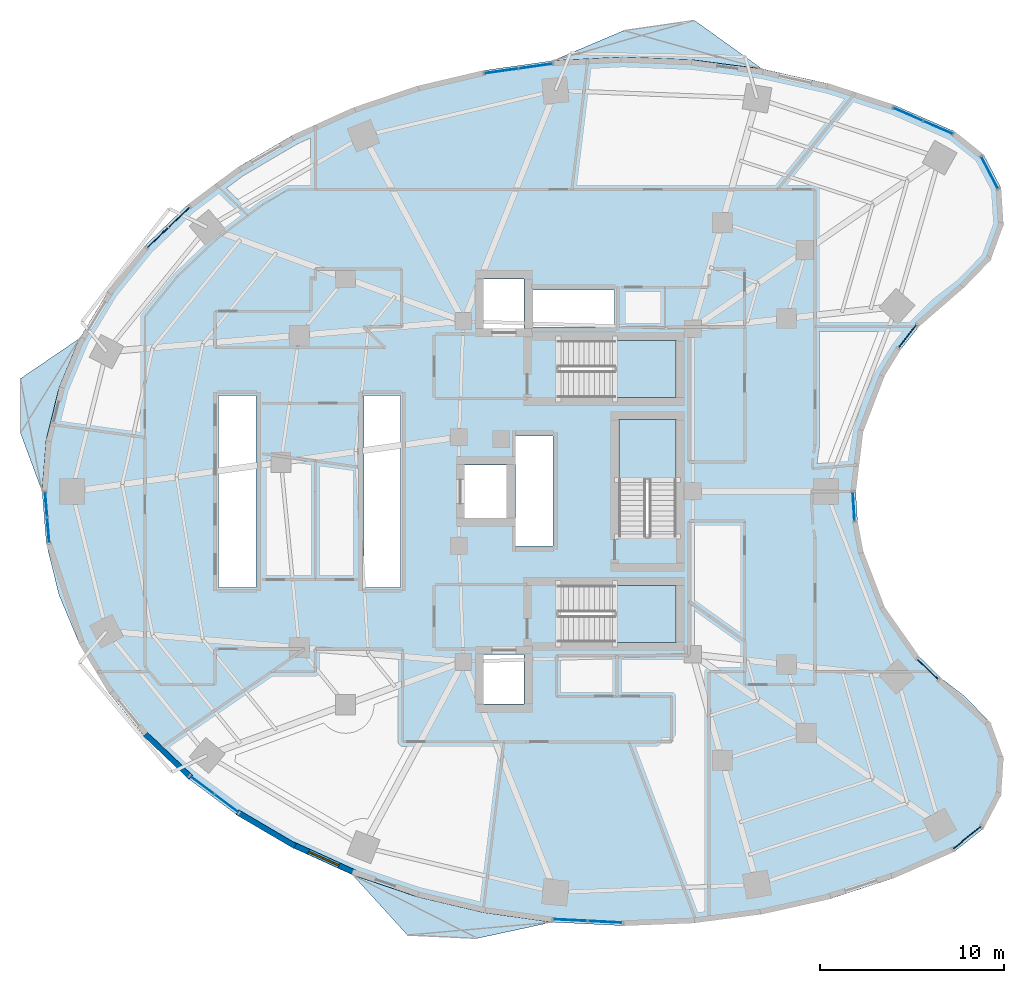
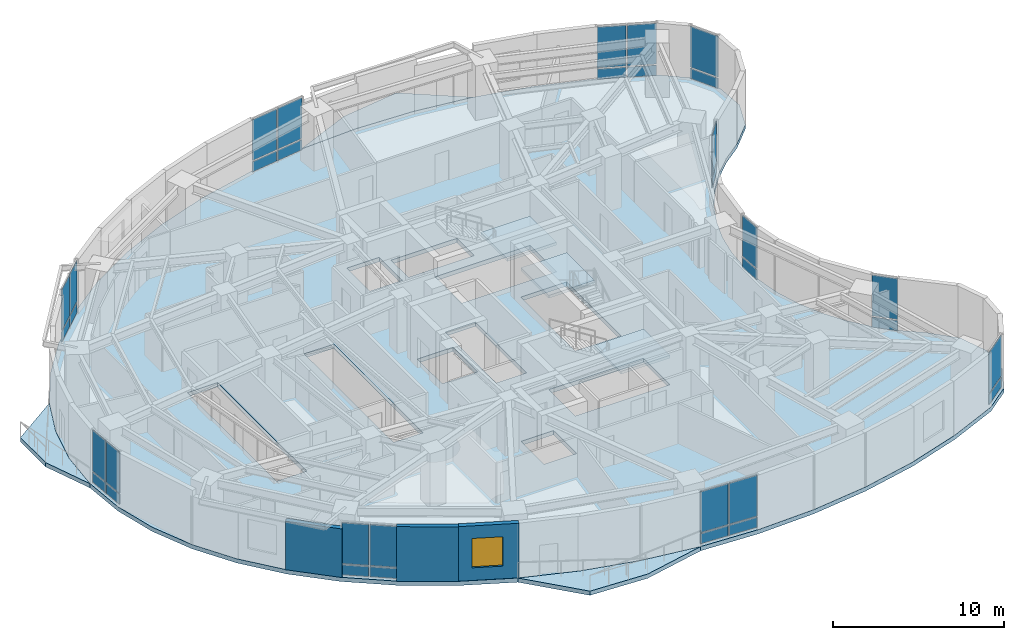
# One storey, part 7 of 16: 34 plates, 7 slabs, 3 walls, 1 window, 1 opening, 14 elements without a shape of their own.
"""IFC4 building model written with IfcOpenShell, lengths in metres."""

from ifc_helpers import new_model, si_unit, direction, frame, frame_2d, origin, origin_2d, place, context, subcontext, project, spatial, polyline, rectangle, outline, extrude, material, layer, layer_set, type_object, element, fill, aggregate, save


model = new_model("IFC4")

# Units and contexts
model_context = context("Model", 3, precision=1e-05, world=origin(), true_north=direction((0.0, 1.0)))
body_context = subcontext(model_context, "Body", "Model", "MODEL_VIEW")
ifc_project = project(units=[si_unit("LENGTHUNIT", "METRE"), si_unit("AREAUNIT", "SQUARE_METRE"), si_unit("VOLUMEUNIT", "CUBIC_METRE"), si_unit("PLANEANGLEUNIT", "RADIAN"), si_unit("MASSUNIT", "GRAM", prefix="KILO")], contexts=[model_context])

# Site, building, storey
site_placement = place(None, origin())
site = spatial("IfcSite", under=ifc_project, at=site_placement, CompositionType="ELEMENT")
building_placement = place(site_placement, origin())
building = spatial("IfcBuilding", under=site, at=building_placement, Name="Korentha Bioscience Tower", CompositionType="ELEMENT")
storey_placement = place(building_placement, frame((0.0, 0.0, 59.39990234375)))
storey = spatial("IfcBuildingStorey", under=building, at=storey_placement, Name="L13", CompositionType="ELEMENT", Elevation=59.39990234375)

# Curtain wall, plates
ifc_material_1 = material(Name="Thermally Broken Aluminium Frame", Category="aluminium")
ifc_layer_1 = layer(ifc_material_1, 0.219970703125, Name="Thermally Broken Aluminium Frame")
ifc_layer_set_1 = layer_set([ifc_layer_1], Name="Thermally Broken Aluminium Frame (CW-T1)")
curtain_wall_type = type_object("IfcCurtainWallType", Name="Standard Bioscience Lab Unitised Curtain Wall CW-T1", PredefinedType="USERDEFINED", material=ifc_layer_set_1)
curtain_wall_1_placement = place(storey_placement, origin())
curtain_wall_1 = element("IfcCurtainWall", 1, at=curtain_wall_1_placement, inside=storey, type_object=curtain_wall_type, Name="L13 Curtain Wall 01", ObjectType="UNITISED", PredefinedType="USERDEFINED")
ifc_material_2 = material(Name="Triple-Glazed Low-E Insulated Glass", Category="glass")
ifc_layer_2 = layer(ifc_material_2, 0.0439453125, Name="Triple-Glazed Low-E Insulated Glass")
ifc_layer_set_2 = layer_set([ifc_layer_2], Name="Triple-Glazed Low-E Insulated Glass (GL-44)")
plate_type = type_object("IfcPlateType", Name="Glazed Panel 44mm", PredefinedType="CURTAIN_PANEL", material=ifc_layer_set_2)
plate_1_placement = place(storey_placement, frame((50.893310546875, 46.780029296875, 0.08984375), z_axis=(0.0, 0.0, 1.0), x_axis=(-0.91593909057, 0.401317308828, 0.0)))
plate_1 = element("IfcPlate", 2, at=plate_1_placement, type_object=plate_type, Name="CW-L13-01 Bay 1 Glazed Panel 1", PredefinedType="CURTAIN_PANEL", context=body_context, shape_type="SweptSolid", body=[
    extrude(rectangle(XDim=1.701171875, YDim=0.0439453125, at=origin_2d()), origin(), (0.0, 0.0, 1.0), 0.715087890625),
])
plate_2_placement = place(storey_placement, frame((50.893310546875, 46.780029296875, 0.89501953125), z_axis=(0.0, 0.0, 1.0), x_axis=(-0.91593909057, 0.401317308828, 0.0)))
plate_2 = element("IfcPlate", 3, at=plate_2_placement, type_object=plate_type, Name="CW-L13-01 Bay 1 Glazed Panel 2", PredefinedType="CURTAIN_PANEL", context=body_context, shape_type="SweptSolid", body=[
    extrude(rectangle(XDim=1.701171875, YDim=0.0439453125, at=origin_2d()), origin(), (0.0, 0.0, 1.0), 2.9150390625),
])
plate_3_placement = place(storey_placement, frame((49.25244140625, 47.498779296875, 0.08984375), z_axis=(0.0, 0.0, 1.0), x_axis=(-0.91593909057, 0.401317308828, 0.0)))
plate_3 = element("IfcPlate", 4, at=plate_3_placement, type_object=plate_type, Name="CW-L13-01 Bay 2 Glazed Panel 1", PredefinedType="CURTAIN_PANEL", context=body_context, shape_type="SweptSolid", body=[
    extrude(rectangle(XDim=1.701171875, YDim=0.0439453125, at=origin_2d()), origin(), (0.0, 0.0, 1.0), 0.715087890625),
])
plate_4_placement = place(storey_placement, frame((49.25244140625, 47.498779296875, 0.89501953125), z_axis=(0.0, 0.0, 1.0), x_axis=(-0.91593909057, 0.401317308828, 0.0)))
plate_4 = element("IfcPlate", 5, at=plate_4_placement, type_object=plate_type, Name="CW-L13-01 Bay 2 Glazed Panel 2", PredefinedType="CURTAIN_PANEL", context=body_context, shape_type="SweptSolid", body=[
    extrude(rectangle(XDim=1.701171875, YDim=0.0439453125, at=origin_2d()), origin(), (0.0, 0.0, 1.0), 2.9150390625),
])
aggregate(curtain_wall_1, [plate_1, plate_2, plate_3, plate_4])

curtain_wall_2_placement = place(storey_placement, origin())
curtain_wall_2 = element("IfcCurtainWall", 6, at=curtain_wall_2_placement, inside=storey, type_object=curtain_wall_type, Name="L13 Curtain Wall 07", ObjectType="UNITISED", PredefinedType="USERDEFINED")
plate_5_placement = place(storey_placement, frame((29.0224609375, 50.11572265625, 0.08984375), z_axis=(0.0, 0.0, 1.0), x_axis=(-0.990167372968, -0.139887717511, 0.0)))
plate_5 = element("IfcPlate", 7, at=plate_5_placement, type_object=plate_type, Name="CW-L13-07 Bay 1 Glazed Panel 1", PredefinedType="CURTAIN_PANEL", context=body_context, shape_type="SweptSolid", body=[
    extrude(rectangle(XDim=1.800537109375, YDim=0.0439453125, at=origin_2d()), origin(), (0.0, 0.0, 1.0), 0.715087890625),
])
plate_6_placement = place(storey_placement, frame((29.0224609375, 50.11572265625, 0.89501953125), z_axis=(0.0, 0.0, 1.0), x_axis=(-0.990167372968, -0.139887717511, 0.0)))
plate_6 = element("IfcPlate", 8, at=plate_6_placement, type_object=plate_type, Name="CW-L13-07 Bay 1 Glazed Panel 2", PredefinedType="CURTAIN_PANEL", context=body_context, shape_type="SweptSolid", body=[
    extrude(rectangle(XDim=1.800537109375, YDim=0.0439453125, at=origin_2d()), origin(), (0.0, 0.0, 1.0), 2.9150390625),
])
plate_7_placement = place(storey_placement, frame((27.150634765625, 49.851318359375, 0.08984375), z_axis=(0.0, 0.0, 1.0), x_axis=(-0.990167372968, -0.139887717511, 0.0)))
plate_7 = element("IfcPlate", 9, at=plate_7_placement, type_object=plate_type, Name="CW-L13-07 Bay 2 Glazed Panel 1", PredefinedType="CURTAIN_PANEL", context=body_context, shape_type="SweptSolid", body=[
    extrude(rectangle(XDim=1.800537109375, YDim=0.0439453125, at=origin_2d()), origin(), (0.0, 0.0, 1.0), 0.715087890625),
])
plate_8_placement = place(storey_placement, frame((27.150634765625, 49.851318359375, 0.89501953125), z_axis=(0.0, 0.0, 1.0), x_axis=(-0.990167372968, -0.139887717511, 0.0)))
plate_8 = element("IfcPlate", 10, at=plate_8_placement, type_object=plate_type, Name="CW-L13-07 Bay 2 Glazed Panel 2", PredefinedType="CURTAIN_PANEL", context=body_context, shape_type="SweptSolid", body=[
    extrude(rectangle(XDim=1.800537109375, YDim=0.0439453125, at=origin_2d()), origin(), (0.0, 0.0, 1.0), 2.9150390625),
])
aggregate(curtain_wall_2, [plate_5, plate_6, plate_7, plate_8])

curtain_wall_3_placement = place(storey_placement, origin())
curtain_wall_3 = element("IfcCurtainWall", 11, at=curtain_wall_3_placement, inside=storey, type_object=curtain_wall_type, Name="L13 Curtain Wall 13", ObjectType="UNITISED", PredefinedType="USERDEFINED")
plate_9_placement = place(storey_placement, frame((9.643798828125, 41.9091796875, 0.08984375), z_axis=(0.0, 0.0, 1.0), x_axis=(-0.723641761581, -0.690175775361, 0.0)))
plate_9 = element("IfcPlate", 12, at=plate_9_placement, type_object=plate_type, Name="CW-L13-13 Bay 1 Glazed Panel 1", PredefinedType="CURTAIN_PANEL", context=body_context, shape_type="SweptSolid", body=[
    extrude(rectangle(XDim=1.5263671875, YDim=0.0439453125, at=origin_2d()), origin(), (0.0, 0.0, 1.0), 0.715087890625),
])
plate_10_placement = place(storey_placement, frame((9.643798828125, 41.9091796875, 0.89501953125), z_axis=(0.0, 0.0, 1.0), x_axis=(-0.723641761581, -0.690175775361, 0.0)))
plate_10 = element("IfcPlate", 13, at=plate_10_placement, type_object=plate_type, Name="CW-L13-13 Bay 1 Glazed Panel 2", PredefinedType="CURTAIN_PANEL", context=body_context, shape_type="SweptSolid", body=[
    extrude(rectangle(XDim=1.5263671875, YDim=0.0439453125, at=origin_2d()), origin(), (0.0, 0.0, 1.0), 2.9150390625),
])
plate_11_placement = place(storey_placement, frame((8.47412109375, 40.793701171875, 0.08984375), z_axis=(0.0, 0.0, 1.0), x_axis=(-0.723641761581, -0.690175775361, 0.0)))
plate_11 = element("IfcPlate", 14, at=plate_11_placement, type_object=plate_type, Name="CW-L13-13 Bay 2 Glazed Panel 1", PredefinedType="CURTAIN_PANEL", context=body_context, shape_type="SweptSolid", body=[
    extrude(rectangle(XDim=1.5263671875, YDim=0.0439453125, at=origin_2d()), origin(), (0.0, 0.0, 1.0), 0.715087890625),
])
plate_12_placement = place(storey_placement, frame((8.47412109375, 40.793701171875, 0.89501953125), z_axis=(0.0, 0.0, 1.0), x_axis=(-0.723641761581, -0.690175775361, 0.0)))
plate_12 = element("IfcPlate", 15, at=plate_12_placement, type_object=plate_type, Name="CW-L13-13 Bay 2 Glazed Panel 2", PredefinedType="CURTAIN_PANEL", context=body_context, shape_type="SweptSolid", body=[
    extrude(rectangle(XDim=1.5263671875, YDim=0.0439453125, at=origin_2d()), origin(), (0.0, 0.0, 1.0), 2.9150390625),
])
aggregate(curtain_wall_3, [plate_9, plate_10, plate_11, plate_12])

curtain_wall_4_placement = place(storey_placement, origin())
curtain_wall_4 = element("IfcCurtainWall", 16, at=curtain_wall_4_placement, inside=storey, type_object=curtain_wall_type, Name="L13 Curtain Wall 19", ObjectType="UNITISED", PredefinedType="USERDEFINED")
plate_13_placement = place(storey_placement, frame((2.4169921875, 26.302734375, 0.08984375), z_axis=(0.0, 0.0, 1.0), x_axis=(0.080820466375, -0.996728675325, 0.0)))
plate_13 = element("IfcPlate", 17, at=plate_13_placement, type_object=plate_type, Name="CW-L13-19 Bay 1 Glazed Panel 1", PredefinedType="CURTAIN_PANEL", context=body_context, shape_type="SweptSolid", body=[
    extrude(rectangle(XDim=1.324951171875, YDim=0.0439453125, at=origin_2d()), origin(), (0.0, 0.0, 1.0), 0.715087890625),
])
plate_14_placement = place(storey_placement, frame((2.4169921875, 26.302734375, 0.89501953125), z_axis=(0.0, 0.0, 1.0), x_axis=(0.080820466375, -0.996728675325, 0.0)))
plate_14 = element("IfcPlate", 18, at=plate_14_placement, type_object=plate_type, Name="CW-L13-19 Bay 1 Glazed Panel 2", PredefinedType="CURTAIN_PANEL", context=body_context, shape_type="SweptSolid", body=[
    extrude(rectangle(XDim=1.324951171875, YDim=0.0439453125, at=origin_2d()), origin(), (0.0, 0.0, 1.0), 2.9150390625),
])
plate_15_placement = place(storey_placement, frame((2.531494140625, 24.892333984375, 0.08984375), z_axis=(0.0, 0.0, 1.0), x_axis=(0.080820466375, -0.996728675325, 0.0)))
plate_15 = element("IfcPlate", 19, at=plate_15_placement, type_object=plate_type, Name="CW-L13-19 Bay 2 Glazed Panel 1", PredefinedType="CURTAIN_PANEL", context=body_context, shape_type="SweptSolid", body=[
    extrude(rectangle(XDim=1.324951171875, YDim=0.0439453125, at=origin_2d()), origin(), (0.0, 0.0, 1.0), 0.715087890625),
])
plate_16_placement = place(storey_placement, frame((2.531494140625, 24.892333984375, 0.89501953125), z_axis=(0.0, 0.0, 1.0), x_axis=(0.080820466375, -0.996728675325, 0.0)))
plate_16 = element("IfcPlate", 20, at=plate_16_placement, type_object=plate_type, Name="CW-L13-19 Bay 2 Glazed Panel 2", PredefinedType="CURTAIN_PANEL", context=body_context, shape_type="SweptSolid", body=[
    extrude(rectangle(XDim=1.324951171875, YDim=0.0439453125, at=origin_2d()), origin(), (0.0, 0.0, 1.0), 2.9150390625),
])
aggregate(curtain_wall_4, [plate_13, plate_14, plate_15, plate_16])

curtain_wall_5_placement = place(storey_placement, origin())
curtain_wall_5 = element("IfcCurtainWall", 21, at=curtain_wall_5_placement, inside=storey, type_object=curtain_wall_type, Name="L13 Curtain Wall 25", ObjectType="UNITISED", PredefinedType="USERDEFINED")
plate_17_placement = place(storey_placement, frame((10.892578125, 11.037109375, 0.08984375), z_axis=(0.0, 0.0, 1.0), x_axis=(0.800797909614, -0.598934644145, 0.0)))
plate_17 = element("IfcPlate", 22, at=plate_17_placement, type_object=plate_type, Name="CW-L13-25 Bay 1 Glazed Panel 1", PredefinedType="CURTAIN_PANEL", context=body_context, shape_type="SweptSolid", body=[
    extrude(rectangle(XDim=1.58544921875, YDim=0.0439453125, at=origin_2d()), origin(), (0.0, 0.0, 1.0), 0.715087890625),
])
plate_18_placement = place(storey_placement, frame((10.892578125, 11.037109375, 0.89501953125), z_axis=(0.0, 0.0, 1.0), x_axis=(0.800797909614, -0.598934644145, 0.0)))
plate_18 = element("IfcPlate", 23, at=plate_18_placement, type_object=plate_type, Name="CW-L13-25 Bay 1 Glazed Panel 2", PredefinedType="CURTAIN_PANEL", context=body_context, shape_type="SweptSolid", body=[
    extrude(rectangle(XDim=1.58544921875, YDim=0.0439453125, at=origin_2d()), origin(), (0.0, 0.0, 1.0), 2.9150390625),
])
plate_19_placement = place(storey_placement, frame((12.234375, 10.033447265625, 0.08984375), z_axis=(0.0, 0.0, 1.0), x_axis=(0.800797909614, -0.598934644145, 0.0)))
plate_19 = element("IfcPlate", 24, at=plate_19_placement, type_object=plate_type, Name="CW-L13-25 Bay 2 Glazed Panel 1", PredefinedType="CURTAIN_PANEL", context=body_context, shape_type="SweptSolid", body=[
    extrude(rectangle(XDim=1.58544921875, YDim=0.0439453125, at=origin_2d()), origin(), (0.0, 0.0, 1.0), 0.715087890625),
])
plate_20_placement = place(storey_placement, frame((12.234375, 10.033447265625, 0.89501953125), z_axis=(0.0, 0.0, 1.0), x_axis=(0.800797909614, -0.598934644145, 0.0)))
plate_20 = element("IfcPlate", 25, at=plate_20_placement, type_object=plate_type, Name="CW-L13-25 Bay 2 Glazed Panel 2", PredefinedType="CURTAIN_PANEL", context=body_context, shape_type="SweptSolid", body=[
    extrude(rectangle(XDim=1.58544921875, YDim=0.0439453125, at=origin_2d()), origin(), (0.0, 0.0, 1.0), 2.9150390625),
])
aggregate(curtain_wall_5, [plate_17, plate_18, plate_19, plate_20])

curtain_wall_6_placement = place(storey_placement, origin())
curtain_wall_6 = element("IfcCurtainWall", 26, at=curtain_wall_6_placement, inside=storey, type_object=curtain_wall_type, Name="L13 Curtain Wall 31", ObjectType="UNITISED", PredefinedType="USERDEFINED")
plate_21_placement = place(storey_placement, frame((30.90478515625, 3.70458984375, 0.08984375), z_axis=(0.0, 0.0, 1.0), x_axis=(0.998730551641, -0.050371472279, 0.0)))
plate_21 = element("IfcPlate", 27, at=plate_21_placement, type_object=plate_type, Name="CW-L13-31 Bay 1 Glazed Panel 1", PredefinedType="CURTAIN_PANEL", context=body_context, shape_type="SweptSolid", body=[
    extrude(rectangle(XDim=1.8134765625, YDim=0.0439453125, at=origin_2d()), origin(), (0.0, 0.0, 1.0), 0.715087890625),
])
plate_22_placement = place(storey_placement, frame((30.90478515625, 3.70458984375, 0.89501953125), z_axis=(0.0, 0.0, 1.0), x_axis=(0.998730551641, -0.050371472279, 0.0)))
plate_22 = element("IfcPlate", 28, at=plate_22_placement, type_object=plate_type, Name="CW-L13-31 Bay 1 Glazed Panel 2", PredefinedType="CURTAIN_PANEL", context=body_context, shape_type="SweptSolid", body=[
    extrude(rectangle(XDim=1.8134765625, YDim=0.0439453125, at=origin_2d()), origin(), (0.0, 0.0, 1.0), 2.9150390625),
])
plate_23_placement = place(storey_placement, frame((32.805908203125, 3.608642578125, 0.08984375), z_axis=(0.0, 0.0, 1.0), x_axis=(0.998730551641, -0.050371472279, 0.0)))
plate_23 = element("IfcPlate", 29, at=plate_23_placement, type_object=plate_type, Name="CW-L13-31 Bay 2 Glazed Panel 1", PredefinedType="CURTAIN_PANEL", context=body_context, shape_type="SweptSolid", body=[
    extrude(rectangle(XDim=1.8134765625, YDim=0.0439453125, at=origin_2d()), origin(), (0.0, 0.0, 1.0), 0.715087890625),
])
plate_24_placement = place(storey_placement, frame((32.805908203125, 3.608642578125, 0.89501953125), z_axis=(0.0, 0.0, 1.0), x_axis=(0.998730551641, -0.050371472279, 0.0)))
plate_24 = element("IfcPlate", 30, at=plate_24_placement, type_object=plate_type, Name="CW-L13-31 Bay 2 Glazed Panel 2", PredefinedType="CURTAIN_PANEL", context=body_context, shape_type="SweptSolid", body=[
    extrude(rectangle(XDim=1.8134765625, YDim=0.0439453125, at=origin_2d()), origin(), (0.0, 0.0, 1.0), 2.9150390625),
])
aggregate(curtain_wall_6, [plate_21, plate_22, plate_23, plate_24])

curtain_wall_7_placement = place(storey_placement, origin())
curtain_wall_7 = element("IfcCurtainWall", 31, at=curtain_wall_7_placement, inside=storey, type_object=curtain_wall_type, Name="L13 Curtain Wall 37", ObjectType="UNITISED", PredefinedType="USERDEFINED")
plate_25_placement = place(storey_placement, frame((52.4755859375, 8.19140625, 0.08984375), z_axis=(0.0, 0.0, 1.0), x_axis=(0.782287851332, 0.62291710336, 0.0)))
plate_25 = element("IfcPlate", 32, at=plate_25_placement, type_object=plate_type, Name="CW-L13-37 Bay 1 Glazed Panel 1", PredefinedType="CURTAIN_PANEL", context=body_context, shape_type="SweptSolid", body=[
    extrude(rectangle(XDim=1.927734375, YDim=0.0439453125, at=origin_2d()), origin(), (0.0, 0.0, 1.0), 0.715087890625),
])
plate_26_placement = place(storey_placement, frame((52.4755859375, 8.19140625, 0.89501953125), z_axis=(0.0, 0.0, 1.0), x_axis=(0.782287851332, 0.62291710336, 0.0)))
plate_26 = element("IfcPlate", 33, at=plate_26_placement, type_object=plate_type, Name="CW-L13-37 Bay 1 Glazed Panel 2", PredefinedType="CURTAIN_PANEL", context=body_context, shape_type="SweptSolid", body=[
    extrude(rectangle(XDim=1.927734375, YDim=0.0439453125, at=origin_2d()), origin(), (0.0, 0.0, 1.0), 2.9150390625),
])
aggregate(curtain_wall_7, [plate_25, plate_26])

curtain_wall_8_placement = place(storey_placement, origin())
curtain_wall_8 = element("IfcCurtainWall", 34, at=curtain_wall_8_placement, inside=storey, type_object=curtain_wall_type, Name="L13 Curtain Wall 43", ObjectType="UNITISED", PredefinedType="USERDEFINED")
plate_27_placement = place(storey_placement, frame((50.333251953125, 17.335693359375, 0.08984375), z_axis=(0.0, 0.0, 1.0), x_axis=(-0.713279246754, 0.700879958445, 0.0)))
plate_27 = element("IfcPlate", 35, at=plate_27_placement, type_object=plate_type, Name="CW-L13-43 Bay 1 Glazed Panel 1", PredefinedType="CURTAIN_PANEL", context=body_context, shape_type="SweptSolid", body=[
    extrude(rectangle(XDim=1.537841796875, YDim=0.0439453125, at=origin_2d()), origin(), (0.0, 0.0, 1.0), 0.715087890625),
])
plate_28_placement = place(storey_placement, frame((50.333251953125, 17.335693359375, 0.89501953125), z_axis=(0.0, 0.0, 1.0), x_axis=(-0.713279246754, 0.700879958445, 0.0)))
plate_28 = element("IfcPlate", 36, at=plate_28_placement, type_object=plate_type, Name="CW-L13-43 Bay 1 Glazed Panel 2", PredefinedType="CURTAIN_PANEL", context=body_context, shape_type="SweptSolid", body=[
    extrude(rectangle(XDim=1.537841796875, YDim=0.0439453125, at=origin_2d()), origin(), (0.0, 0.0, 1.0), 2.9150390625),
])
aggregate(curtain_wall_8, [plate_27, plate_28])

curtain_wall_9_placement = place(storey_placement, origin())
curtain_wall_9 = element("IfcCurtainWall", 37, at=curtain_wall_9_placement, inside=storey, type_object=curtain_wall_type, Name="L13 Curtain Wall 49", ObjectType="UNITISED", PredefinedType="USERDEFINED")
plate_29_placement = place(storey_placement, frame((46.305908203125, 26.1728515625, 0.08984375), z_axis=(0.0, 0.0, 1.0), x_axis=(-0.061008272998, 0.998137260413, 0.0)))
plate_29 = element("IfcPlate", 38, at=plate_29_placement, type_object=plate_type, Name="CW-L13-49 Bay 1 Glazed Panel 1", PredefinedType="CURTAIN_PANEL", context=body_context, shape_type="SweptSolid", body=[
    extrude(rectangle(XDim=1.537841796875, YDim=0.0439453125, at=origin_2d()), origin(), (0.0, 0.0, 1.0), 0.715087890625),
])
plate_30_placement = place(storey_placement, frame((46.305908203125, 26.1728515625, 0.89501953125), z_axis=(0.0, 0.0, 1.0), x_axis=(-0.061008272998, 0.998137260413, 0.0)))
plate_30 = element("IfcPlate", 39, at=plate_30_placement, type_object=plate_type, Name="CW-L13-49 Bay 1 Glazed Panel 2", PredefinedType="CURTAIN_PANEL", context=body_context, shape_type="SweptSolid", body=[
    extrude(rectangle(XDim=1.537841796875, YDim=0.0439453125, at=origin_2d()), origin(), (0.0, 0.0, 1.0), 2.9150390625),
])
aggregate(curtain_wall_9, [plate_29, plate_30])

curtain_wall_10_placement = place(storey_placement, origin())
curtain_wall_10 = element("IfcCurtainWall", 40, at=curtain_wall_10_placement, inside=storey, type_object=curtain_wall_type, Name="L13 Curtain Wall 55", ObjectType="UNITISED", PredefinedType="USERDEFINED")
plate_31_placement = place(storey_placement, frame((49.226318359375, 35.434814453125, 0.08984375), z_axis=(0.0, 0.0, 1.0), x_axis=(0.622520324648, 0.782603632371, 0.0)))
plate_31 = element("IfcPlate", 41, at=plate_31_placement, type_object=plate_type, Name="CW-L13-55 Bay 1 Glazed Panel 1", PredefinedType="CURTAIN_PANEL", context=body_context, shape_type="SweptSolid", body=[
    extrude(rectangle(XDim=1.537841796875, YDim=0.0439453125, at=origin_2d()), origin(), (0.0, 0.0, 1.0), 0.715087890625),
])
plate_32_placement = place(storey_placement, frame((49.226318359375, 35.434814453125, 0.89501953125), z_axis=(0.0, 0.0, 1.0), x_axis=(0.622520324648, 0.782603632371, 0.0)))
plate_32 = element("IfcPlate", 42, at=plate_32_placement, type_object=plate_type, Name="CW-L13-55 Bay 1 Glazed Panel 2", PredefinedType="CURTAIN_PANEL", context=body_context, shape_type="SweptSolid", body=[
    extrude(rectangle(XDim=1.537841796875, YDim=0.0439453125, at=origin_2d()), origin(), (0.0, 0.0, 1.0), 2.9150390625),
])
aggregate(curtain_wall_10, [plate_31, plate_32])

curtain_wall_11_placement = place(storey_placement, origin())
curtain_wall_11 = element("IfcCurtainWall", 43, at=curtain_wall_11_placement, inside=storey, type_object=curtain_wall_type, Name="L13 Curtain Wall 61", ObjectType="UNITISED", PredefinedType="USERDEFINED")
plate_33_placement = place(storey_placement, frame((53.6962890625, 44.32958984375, 0.08984375), z_axis=(0.0, 0.0, 1.0), x_axis=(-0.463008597697, 0.886353788539, 0.0)))
plate_33 = element("IfcPlate", 44, at=plate_33_placement, type_object=plate_type, Name="CW-L13-61 Bay 1 Glazed Panel 1", PredefinedType="CURTAIN_PANEL", context=body_context, shape_type="SweptSolid", body=[
    extrude(rectangle(XDim=1.927734375, YDim=0.0439453125, at=origin_2d()), origin(), (0.0, 0.0, 1.0), 0.715087890625),
])
plate_34_placement = place(storey_placement, frame((53.6962890625, 44.32958984375, 0.89501953125), z_axis=(0.0, 0.0, 1.0), x_axis=(-0.463008597697, 0.886353788539, 0.0)))
plate_34 = element("IfcPlate", 45, at=plate_34_placement, type_object=plate_type, Name="CW-L13-61 Bay 1 Glazed Panel 2", PredefinedType="CURTAIN_PANEL", context=body_context, shape_type="SweptSolid", body=[
    extrude(rectangle(XDim=1.927734375, YDim=0.0439453125, at=origin_2d()), origin(), (0.0, 0.0, 1.0), 2.9150390625),
])
aggregate(curtain_wall_11, [plate_33, plate_34])

# Slab
ifc_material_3 = material(Name="Concrete C50", Category="concrete")
ifc_layer_3 = layer(ifc_material_3, 0.300048828125, Name="Concrete C50")
ifc_layer_set_3 = layer_set([ifc_layer_3], Name="Concrete C50 (SL-L300)")
slab_type_1 = type_object("IfcSlabType", Name="Laboratory Vibration-Controlled Slab 300", PredefinedType="FLOOR", material=ifc_layer_set_3)
slab_1_placement = place(storey_placement, frame((0.0, 0.0, -0.2998046875)))
element("IfcSlab", 46, at=slab_1_placement, inside=storey, type_object=slab_type_1, Name="L13 Tower Structural Floor Slab", PredefinedType="FLOOR", context=body_context, shape_type="SweptSolid", body=[
    extrude(outline(polyline([(51.7822265625, 46.565185546875), (48.49169921875, 48.0068359375), (44.9921875, 49.145263671875), (41.33349609375, 49.9638671875), (37.569091796875, 50.450927734375), (33.75341796875, 50.599365234375), (29.94091796875, 50.406982421875), (26.187255859375, 49.876708984375), (22.54638671875, 49.01611328125), (19.07080078125, 47.837646484375), (15.810791015625, 46.358154296875), (12.8134765625, 44.599365234375), (10.1220703125, 42.58642578125), (7.775390625, 40.348388671875), (5.807373046875, 37.91748046875), (4.246337890625, 35.3291015625), (3.114990234375, 32.62060546875), (2.4296875, 29.830810546875), (2.199951171875, 27.0), (2.4296875, 24.169189453125), (3.114990234375, 21.37939453125), (4.246337890625, 18.6708984375), (5.807373046875, 16.08251953125), (7.775390625, 13.651611328125), (10.1220703125, 11.41357421875), (12.8134765625, 9.400634765625), (15.810791015625, 7.641845703125), (19.07080078125, 6.162353515625), (22.54638671875, 4.98388671875), (26.187255859375, 4.123291015625), (29.94091796875, 3.593017578125), (33.75341796875, 3.400634765625), (37.569091796875, 3.549072265625), (41.33349609375, 4.0361328125), (44.9921875, 4.854736328125), (48.49169921875, 5.9931640625), (51.7822265625, 7.434814453125), (53.368408203125, 8.69775390625), (54.307373046875, 10.4951171875), (54.4384765625, 12.518310546875), (53.739013671875, 14.421630859375), (52.3291015625, 15.878662109375), (51.029541015625, 16.875732421875), (49.861328125, 18.023681640625), (48.841796875, 19.3056640625), (47.98583984375, 20.7021484375), (47.306640625, 22.192626953125), (46.814208984375, 23.754638671875), (46.515625, 25.365234375), (46.415771484375, 27.0), (46.515625, 28.634765625), (46.814208984375, 30.245361328125), (47.306640625, 31.807373046875), (47.98583984375, 33.2978515625), (48.841796875, 34.6943359375), (49.861328125, 35.976318359375), (51.029541015625, 37.124267578125), (52.3291015625, 38.121337890625), (53.739013671875, 39.578369140625), (54.4384765625, 41.481689453125), (54.307373046875, 43.5048828125), (53.368408203125, 45.30224609375), (51.7822265625, 46.565185546875)]), holes=[polyline([(30.25, 32.10009765625), (36.64990234375, 32.10009765625), (36.64990234375, 35.199951171875), (30.25, 35.199951171875), (30.25, 32.10009765625)]), polyline([(30.25, 18.800048828125), (36.64990234375, 18.800048828125), (36.64990234375, 21.89990234375), (30.25, 21.89990234375), (30.25, 18.800048828125)]), polyline([(36.64990234375, 24.550048828125), (36.64990234375, 30.89990234375), (33.550048828125, 30.89990234375), (33.550048828125, 24.550048828125), (36.64990234375, 24.550048828125)]), polyline([(11.780029296875, 21.780029296875), (13.820068359375, 21.780029296875), (13.820068359375, 32.219970703125), (11.780029296875, 32.219970703125), (11.780029296875, 21.780029296875)]), polyline([(19.679931640625, 21.780029296875), (21.669921875, 21.780029296875), (21.669921875, 32.219970703125), (19.679931640625, 32.219970703125), (19.679931640625, 21.780029296875)]), polyline([(27.929931640625, 24.030029296875), (29.969970703125, 24.030029296875), (29.969970703125, 30.02001953125), (27.929931640625, 30.02001953125), (27.929931640625, 24.030029296875)]), polyline([(28.860107421875, 35.93994140625), (33.31005859375, 35.93994140625), (33.31005859375, 37.9599609375), (28.860107421875, 37.9599609375), (28.860107421875, 35.93994140625)]), polyline([(26.199951171875, 15.449951171875), (28.39990234375, 15.449951171875), (28.39990234375, 18.14990234375), (26.199951171875, 18.14990234375), (26.199951171875, 15.449951171875)]), polyline([(26.199951171875, 35.85009765625), (28.39990234375, 35.85009765625), (28.39990234375, 38.550048828125), (26.199951171875, 38.550048828125), (26.199951171875, 35.85009765625)]), polyline([(25.14990234375, 25.550048828125), (27.550048828125, 25.550048828125), (27.550048828125, 28.449951171875), (25.14990234375, 28.449951171875), (25.14990234375, 25.550048828125)])]), origin(), (0.0, 0.0, 1.0), 0.2998046875),
])

# Stair, slab
ifc_material_4 = material(Name="Precast Concrete C50", Category="concrete")
stair_type = type_object("IfcStairType", Name="Core Exit Dog-Leg Stair 1450", PredefinedType="HALF_TURN_STAIR", material=ifc_material_4)
stair_1_placement = place(storey_placement, origin())
stair_1 = element("IfcStair", 47, at=stair_1_placement, inside=storey, type_object=stair_type, Name="L13 Tower North Pressurized Exit Stair ST-1", PredefinedType="HALF_TURN_STAIR")
ifc_layer_4 = layer(ifc_material_3, 0.199951171875, Name="Concrete C50")
ifc_layer_set_4 = layer_set([ifc_layer_4], Name="Concrete C50 (SL-LND)")
slab_type_2 = type_object("IfcSlabType", Name="Landing Slab 200", PredefinedType="LANDING", material=ifc_layer_set_4)
slab_2_placement = place(storey_placement, frame((0.0, 0.0, 1.900146484375)))
slab_2 = element("IfcSlab", 48, at=slab_2_placement, type_object=slab_type_2, Name="ST-1 landing 1", PredefinedType="LANDING", context=body_context, shape_type="SweptSolid", body=[
    extrude(outline(polyline([(33.330078125, 32.10009765625), (36.64990234375, 32.10009765625), (36.64990234375, 35.199951171875), (33.330078125, 35.199951171875), (33.330078125, 32.10009765625)])), origin(), (0.0, 0.0, 1.0), 0.199951171875),
])
aggregate(stair_1, [slab_2])

stair_2_placement = place(storey_placement, origin())
stair_2 = element("IfcStair", 49, at=stair_2_placement, inside=storey, type_object=stair_type, Name="L13 Tower South Pressurized Exit Stair ST-2", PredefinedType="HALF_TURN_STAIR")
slab_3_placement = place(storey_placement, frame((0.0, 0.0, 1.900146484375)))
slab_3 = element("IfcSlab", 50, at=slab_3_placement, type_object=slab_type_2, Name="ST-2 landing 1", PredefinedType="LANDING", context=body_context, shape_type="SweptSolid", body=[
    extrude(outline(polyline([(33.330078125, 18.800048828125), (36.64990234375, 18.800048828125), (36.64990234375, 21.89990234375), (33.330078125, 21.89990234375), (33.330078125, 18.800048828125)])), origin(), (0.0, 0.0, 1.0), 0.199951171875),
])
aggregate(stair_2, [slab_3])

stair_3_placement = place(storey_placement, origin())
stair_3 = element("IfcStair", 51, at=stair_3_placement, inside=storey, type_object=stair_type, Name="L13 Tower Central Pressurized Exit Stair ST-3", PredefinedType="HALF_TURN_STAIR")
slab_4_placement = place(storey_placement, frame((0.0, 0.0, 1.900146484375)))
slab_4 = element("IfcSlab", 52, at=slab_4_placement, type_object=slab_type_2, Name="ST-3 landing 1", PredefinedType="LANDING", context=body_context, shape_type="SweptSolid", body=[
    extrude(outline(polyline([(36.64990234375, 27.6298828125), (36.64990234375, 30.89990234375), (33.550048828125, 30.89990234375), (33.550048828125, 27.6298828125), (36.64990234375, 27.6298828125)])), origin(), (0.0, 0.0, 1.0), 0.199951171875),
])
aggregate(stair_3, [slab_4])

# Slabs
ifc_layer_5 = layer(ifc_material_3, 0.300048828125, Name="Concrete C50")
ifc_layer_set_5 = layer_set([ifc_layer_5], Name="Concrete C50 (BS-240)")
slab_type_3 = type_object("IfcSlabType", Name="Sawtooth Sun-Ledge Balcony Slab 240", PredefinedType="USERDEFINED", material=ifc_layer_set_5)
slab_5_placement = place(storey_placement, frame((0.0, 0.0, -0.2998046875)))
element("IfcSlab", 53, at=slab_5_placement, inside=storey, type_object=slab_type_3, Name="L13 Sun-Ledge Balcony 01", ObjectType="BALCONY", PredefinedType="USERDEFINED", context=body_context, shape_type="SweptSolid", body=[
    extrude(outline(polyline([(29.94091796875, 50.406982421875), (33.75341796875, 50.599365234375), (37.569091796875, 50.450927734375), (41.33349609375, 49.9638671875), (37.65283203125, 52.599365234375), (33.809814453125, 52.048095703125), (29.94091796875, 50.406982421875)])), origin(), (0.0, 0.0, 1.0), 0.2998046875),
])
slab_6_placement = place(storey_placement, frame((0.0, 0.0, -0.2998046875)))
element("IfcSlab", 54, at=slab_6_placement, inside=storey, type_object=slab_type_3, Name="L13 Sun-Ledge Balcony 02", ObjectType="BALCONY", PredefinedType="USERDEFINED", context=body_context, shape_type="SweptSolid", body=[
    extrude(outline(polyline([(2.199951171875, 27.0), (2.4296875, 29.830810546875), (3.114990234375, 32.62060546875), (4.246337890625, 35.3291015625), (1.027099609375, 33.133544921875), (1.021484375, 30.176513671875), (2.199951171875, 27.0)])), origin(), (0.0, 0.0, 1.0), 0.2998046875),
])
slab_7_placement = place(storey_placement, frame((0.0, 0.0, -0.2998046875)))
element("IfcSlab", 55, at=slab_7_placement, inside=storey, type_object=slab_type_3, Name="L13 Sun-Ledge Balcony 03", ObjectType="BALCONY", PredefinedType="USERDEFINED", context=body_context, shape_type="SweptSolid", body=[
    extrude(outline(polyline([(29.94091796875, 3.593017578125), (26.187255859375, 4.123291015625), (22.54638671875, 4.98388671875), (19.07080078125, 6.162353515625), (22.0517578125, 2.8916015625), (25.853759765625, 2.712158203125), (29.94091796875, 3.593017578125)])), origin(), (0.0, 0.0, 1.0), 0.2998046875),
])

# Wall, opening, window
ifc_material_5 = material(Name="Honed Limestone Precast Concrete C40", Category="masonry")
ifc_layer_6 = layer(ifc_material_5, 0.300048828125, Name="Honed Limestone Precast Concrete C40")
ifc_layer_set_6 = layer_set([ifc_layer_6], Name="Honed Limestone Precast Concrete C40 (EW-ST300)")
wall_type = type_object("IfcWallType", Name="Honed Limestone Cavity Spandrel Wall 300", PredefinedType="STANDARD", material=ifc_layer_set_6)
wall_1_placement = place(storey_placement, frame((15.822265625, 7.812255859375, 0.0), z_axis=(0.0, 0.0, 1.0), x_axis=(0.910608120407, -0.413270917254, 0.0)))
wall_1 = element("IfcWall", 56, at=wall_1_placement, inside=storey, type_object=wall_type, Name="L13 Honed Limestone Spandrel Wall 27", PredefinedType="STANDARD", context=body_context, shape_type="SweptSolid", body=[
    extrude(rectangle(XDim=3.699951171875, YDim=0.300048828125, at=frame_2d((1.85009765625, 0.0))), origin(), (0.0, 0.0, 1.0), 3.900146484375),
])
opening_placement = place(wall_1_placement, frame((0.949951171875, 0.0, 0.89990234375)))
opening = element("IfcOpeningElement", 57, at=opening_placement, cuts=wall_1, Name="Opening WN-01", PredefinedType="OPENING", context=body_context, shape_type="SweptSolid", body=[
    extrude(rectangle(XDim=1.800048828125, YDim=2.10009765625, at=frame_2d((0.89990234375, 1.050048828125))), frame((0.0, 0.1650390625, 0.0), z_axis=(0.0, -1.0, 0.0), x_axis=(1.0, 0.0, 0.0)), (0.0, 0.0, 1.0), 0.329833984375),
])
ifc_material_6 = material(Name="Thermally Broken Aluminium Triple Glazing", Category="aluminium")
window_type = type_object("IfcWindowType", Name="Triple-Glazed Fixed Bioscience Window 1800x2100", PartitioningType="SINGLE_PANEL", PredefinedType="WINDOW", material=ifc_material_6)
window_placement = place(opening_placement, origin())
window = element("IfcWindow", 58, at=window_placement, inside=storey, type_object=window_type, Name="L13 Facade Window 27", OverallHeight=2.10009765625, OverallWidth=1.800048828125, PartitioningType="SINGLE_PANEL", PredefinedType="WINDOW", context=body_context, shape_type="SweptSolid", body=[
    extrude(rectangle(XDim=1.800048828125, YDim=2.10009765625, at=frame_2d((0.89990234375, 1.050048828125))), frame((0.0, 0.030029296875, 0.0), z_axis=(0.0, -1.0, 0.0), x_axis=(1.0, 0.0, 0.0)), (0.0, 0.0, 1.0), 0.06005859375),
])
fill(opening, window)

# Walls
wall_2_placement = place(storey_placement, frame((7.81396484375, 13.80810546875, 0.0), z_axis=(0.0, 0.0, 1.0), x_axis=(0.72369587847, -0.69011902994, 0.0)))
element("IfcWall", 59, at=wall_2_placement, inside=storey, type_object=wall_type, Name="L13 Limestone Perimeter Closure Wall 24", PredefinedType="STANDARD", context=body_context, shape_type="SweptSolid", body=[
    extrude(rectangle(XDim=3.40283203125, YDim=0.300048828125, at=frame_2d((1.701416015625, 0.0))), origin(), (0.0, 0.0, 1.0), 3.47021484375),
])
wall_3_placement = place(storey_placement, frame((12.8154296875, 9.56201171875, 0.0), z_axis=(0.0, 0.0, 1.0), x_axis=(0.8624654944, -0.506115867139, 0.0)))
element("IfcWall", 60, at=wall_3_placement, inside=storey, type_object=wall_type, Name="L13 Limestone Perimeter Closure Wall 26", PredefinedType="STANDARD", context=body_context, shape_type="SweptSolid", body=[
    extrude(rectangle(XDim=3.63525390625, YDim=0.300048828125, at=frame_2d((1.817626953125, 0.0))), origin(), (0.0, 0.0, 1.0), 3.900146484375),
])

save(model, "model.ifc")
